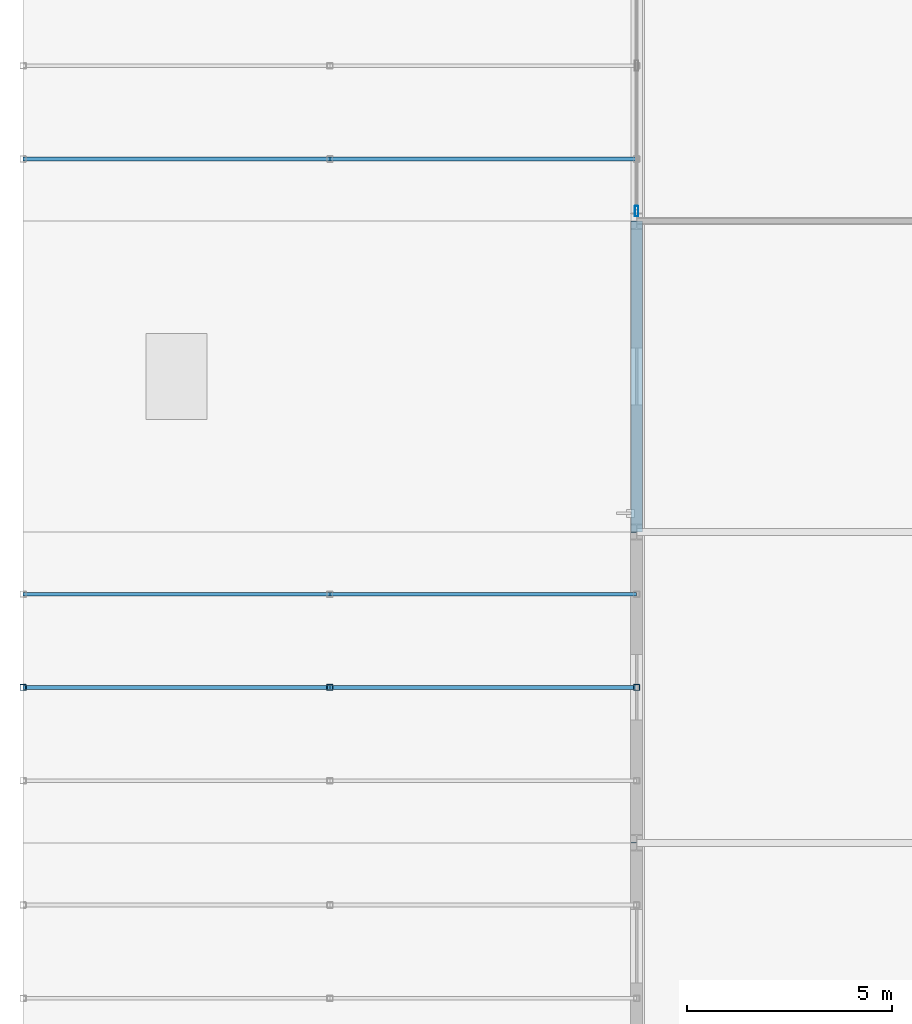
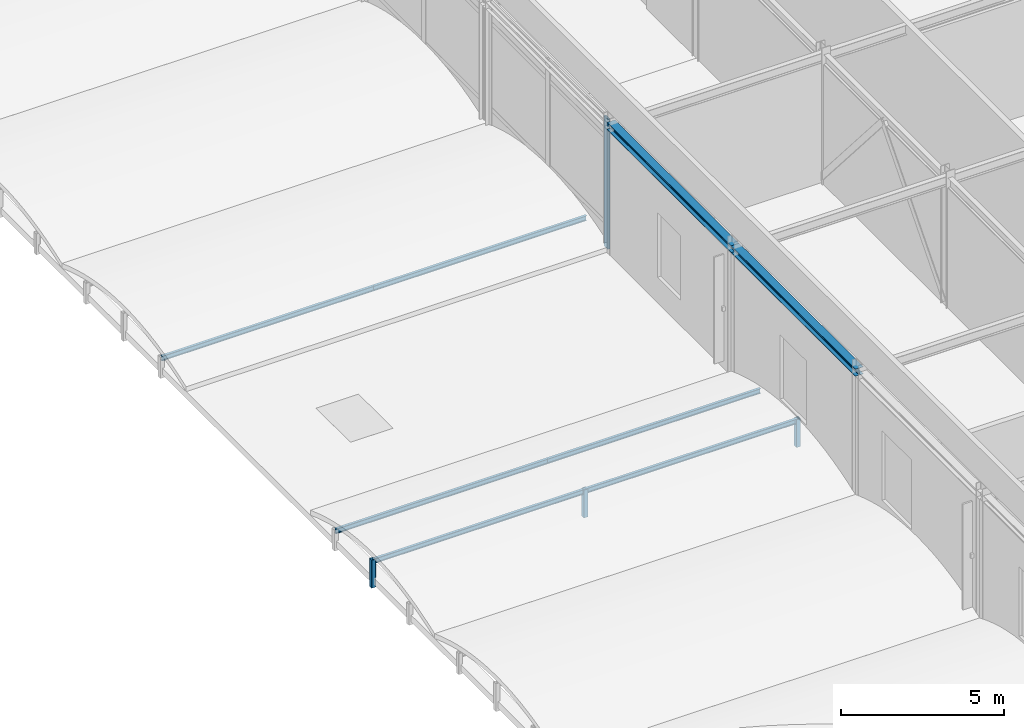
# One storey, part 16 of 79: 10 members, 2 beams, 1 element without a shape of its own.
"""IFC4 building model written with IfcOpenShell, lengths in metres."""

from ifc_helpers import new_model, si_unit, direction, frame, origin, origin_2d, place, context, subcontext, project, spatial, hollow_rectangle, i_section, extrude, material, layer, layer_set, material_profile, profile_set, type_object, element, aggregate, save


model = new_model("IFC4")

# Units and contexts
model_context = context("Model", 3, precision=1e-05, world=origin(), true_north=direction((0.0, 1.0)))
body_context = subcontext(model_context, "Body", "Model", "MODEL_VIEW")
ifc_project = project(units=[si_unit("LENGTHUNIT", "METRE"), si_unit("AREAUNIT", "SQUARE_METRE"), si_unit("VOLUMEUNIT", "CUBIC_METRE"), si_unit("PLANEANGLEUNIT", "RADIAN"), si_unit("MASSUNIT", "GRAM", prefix="KILO")], contexts=[model_context])

# Site, building, storey
site_placement = place(None, origin())
site = spatial("IfcSite", under=ifc_project, at=site_placement, CompositionType="ELEMENT")
building_placement = place(site_placement, origin())
building = spatial("IfcBuilding", under=site, at=building_placement, Name="Shalkamar Park Central Library", CompositionType="ELEMENT")
storey_placement = place(building_placement, frame((0.0, 0.0, 10.5)))
storey = spatial("IfcBuildingStorey", under=building, at=storey_placement, Name="L03", CompositionType="ELEMENT", Elevation=10.5)

# Curtain wall, member
ifc_material_1 = material(Name="Thermally broken aluminium and triple low-e curtain wall", Category="aluminium")
ifc_layer = layer(ifc_material_1, 0.2548828125)
ifc_layer_set = layer_set([ifc_layer], Name="UnitisedCurtainWall_49")
curtain_wall_type = type_object("IfcCurtainWallType", Name="Unitised Curtain Wall 49", PredefinedType="USERDEFINED", material=ifc_layer_set)
curtain_wall_placement = place(storey_placement, origin())
curtain_wall = element("IfcCurtainWall", 1, at=curtain_wall_placement, inside=storey, type_object=curtain_wall_type, Name="Unitised Curtain Wall CW-L03-060", ObjectType="UNITISED CURTAIN WALL", PredefinedType="USERDEFINED")
ifc_material_2 = material(Name="Aluminium 6060-T66", Category="aluminium")
ifc_material_profile_1 = material_profile(ifc_material_2, hollow_rectangle(XDim=0.080078125, YDim=0.2548828125, WallThickness=0.00439453125, InnerFilletRadius=0.00439453125, OuterFilletRadius=0.0068359375, at=origin_2d()), Name="ALU 80x255x4.5")
ifc_profile_set_1 = profile_set([ifc_material_profile_1], Name="Aluminium 6060-T66")
member_type_1 = type_object("IfcMemberType", Name="Curtain Wall Mullion ALU80x255", PredefinedType="MULLION", material=ifc_profile_set_1)
member_placement = place(storey_placement, frame((150.0, 278.243896484375, 0.0), z_axis=(0.0, 0.0, 1.0), x_axis=(-1.0, 0.0, 0.0)))
member = element("IfcMember", 2, at=member_placement, type_object=member_type_1, Name="CW-49 mullion 1", PredefinedType="MULLION", context=body_context, shape_type="SweptSolid", body=[
    extrude(hollow_rectangle(XDim=0.080078125, YDim=0.2548828125, WallThickness=0.00439453125, InnerFilletRadius=0.00439453125, OuterFilletRadius=0.0068359375, at=origin_2d()), origin(), (0.0, 0.0, 1.0), 4.85009765625),
])
aggregate(curtain_wall, [member])

# Members
ifc_material_3 = material(Name="Steel S355", Category="steel")
ifc_material_profile_2 = material_profile(ifc_material_3, hollow_rectangle(XDim=0.14990234375, YDim=0.14990234375, WallThickness=0.008056640625, InnerFilletRadius=0.008056640625, OuterFilletRadius=0.011962890625, at=origin_2d()), Name="SHS 150x150x8")
ifc_profile_set_2 = profile_set([ifc_material_profile_2], Name="Steel S355")
member_type_2 = type_object("IfcMemberType", Name="Diagonal Brace SHS150", PredefinedType="BRACE", material=ifc_profile_set_2)
for number, where, z_axis, x_axis, name in (
    (3, (135.0, 266.60009765625, -0.360107421875), (0.0, 0.0, 1.0), (1.0, 0.0, 0.0), "Vault Arch Post BV-L02-W3-03.2"),
    (4, (142.5, 266.60009765625, -0.360107421875), (0.0, 0.0, 1.0), (1.0, 0.0, 0.0), "Vault Arch Post BV-L02-W3-04.2"),
    (5, (150.0, 266.60009765625, -0.360107421875), (0.0, 0.0, 1.0), (1.0, 0.0, 0.0), "Vault Arch Post BV-L02-W3-05.2"),
):
    element("IfcMember", number, at=place(storey_placement, frame(where, z_axis=z_axis, x_axis=x_axis)), inside=storey, type_object=member_type_2, Name=name, PredefinedType="BRACE", context=body_context, shape_type="SweptSolid", body=[
        extrude(hollow_rectangle(XDim=0.14990234375, YDim=0.14990234375, WallThickness=0.008056640625, InnerFilletRadius=0.008056640625, OuterFilletRadius=0.011962890625, at=origin_2d()), origin(), (0.0, 0.0, 1.0), 1.0400390625),
    ])

# Beams
ifc_material_profile_3 = material_profile(ifc_material_3, i_section(OverallWidth=0.280029296875, OverallDepth=0.27001953125, WebThickness=0.008056640625, FlangeThickness=0.012939453125, FilletRadius=0.02392578125, at=origin_2d()), Name="HEA 280")
ifc_profile_set_3 = profile_set([ifc_material_profile_3], Name="Steel S355")
beam_type = type_object("IfcBeamType", Name="Perimeter Spandrel Beam HEA280", PredefinedType="SPANDREL", material=ifc_profile_set_3)
beam_1_placement = place(storey_placement, frame((150.0, 262.800048828125, 4.715087890625), z_axis=(0.0, 1.0, 0.0), x_axis=(-1.0, 0.0, 0.0)))
element("IfcBeam", 6, at=beam_1_placement, inside=storey, type_object=beam_type, Name="Beam 05:D-E (L03)", PredefinedType="SPANDREL", context=body_context, shape_type="SweptSolid", body=[
    extrude(i_section(OverallWidth=0.280029296875, OverallDepth=0.27001953125, WebThickness=0.008056640625, FlangeThickness=0.012939453125, FilletRadius=0.02392578125, at=origin_2d()), origin(), (0.0, 0.0, 1.0), 7.599853515625),
])
beam_2_placement = place(storey_placement, frame((150.0, 270.39990234375, 4.715087890625), z_axis=(0.0, 1.0, 0.0), x_axis=(-1.0, 0.0, 0.0)))
element("IfcBeam", 7, at=beam_2_placement, inside=storey, type_object=beam_type, Name="Beam 05:E-F (L03)", PredefinedType="SPANDREL", context=body_context, shape_type="SweptSolid", body=[
    extrude(i_section(OverallWidth=0.280029296875, OverallDepth=0.27001953125, WebThickness=0.008056640625, FlangeThickness=0.012939453125, FilletRadius=0.02392578125, at=origin_2d()), origin(), (0.0, 0.0, 1.0), 7.60009765625),
])

# Members
ifc_material_profile_4 = material_profile(ifc_material_3, i_section(OverallWidth=0.091064453125, OverallDepth=0.179931640625, WebThickness=0.00537109375, FlangeThickness=0.008056640625, FilletRadius=0.009033203125, at=origin_2d()), Name="IPE 180")
ifc_profile_set_4 = profile_set([ifc_material_profile_4], Name="Steel S355")
member_type_3 = type_object("IfcMemberType", Name="Roof Purlin IPE180", PredefinedType="PURLIN", material=ifc_profile_set_4)
for number, where, z_axis, x_axis, name in (
    (8, (135.0, 266.60009765625, 0.590087890625), (1.0, 0.0, 0.0), (0.0, 1.0, 0.0), "Barrel Roof Purlin BV-L02-W3-2.03"),
    (9, (142.5, 266.60009765625, 0.590087890625), (1.0, 0.0, 0.0), (0.0, 1.0, 0.0), "Barrel Roof Purlin BV-L02-W3-2.04"),
    (10, (135.0, 268.8798828125, 0.330810546875), (1.0, 0.0, 0.0), (0.0, 1.0, 0.0), "Barrel Roof Purlin BV-L02-W3-3.03"),
    (11, (142.5, 268.8798828125, 0.330810546875), (1.0, 0.0, 0.0), (0.0, 1.0, 0.0), "Barrel Roof Purlin BV-L02-W3-3.04"),
    (12, (135.0, 279.52001953125, 0.330810546875), (1.0, 0.0, 0.0), (0.0, 1.0, 0.0), "Barrel Roof Purlin BV-L02-W4-1.03"),
    (13, (142.5, 279.52001953125, 0.330810546875), (1.0, 0.0, 0.0), (0.0, 1.0, 0.0), "Barrel Roof Purlin BV-L02-W4-1.04"),
):
    element("IfcMember", number, at=place(storey_placement, frame(where, z_axis=z_axis, x_axis=x_axis)), inside=storey, type_object=member_type_3, Name=name, PredefinedType="PURLIN", context=body_context, shape_type="SweptSolid", body=[
        extrude(i_section(OverallWidth=0.091064453125, OverallDepth=0.179931640625, WebThickness=0.00537109375, FlangeThickness=0.008056640625, FilletRadius=0.009033203125, at=origin_2d()), origin(), (0.0, 0.0, 1.0), 7.5),
    ])

save(model, "model.ifc")
